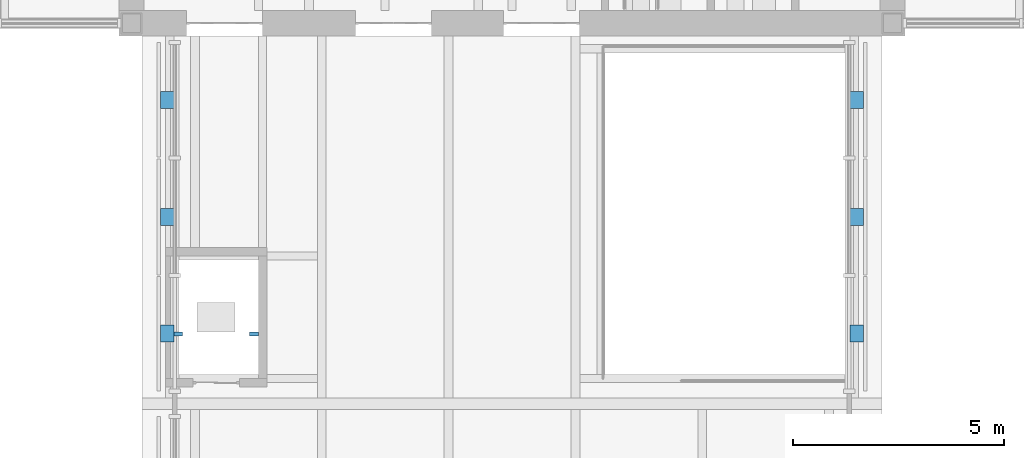
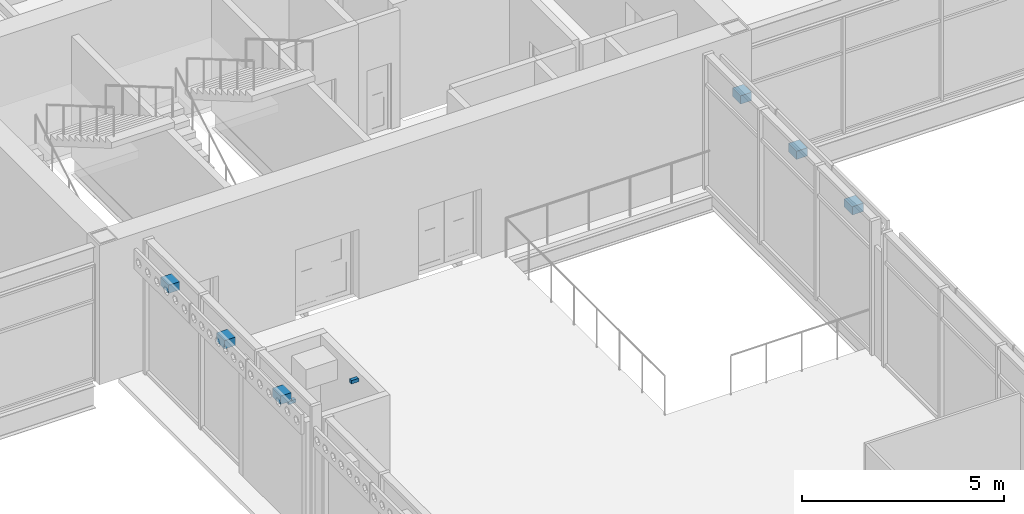
# One storey, part 92 of 123: 8 discrete accessories.
"""IFC4 building model written with IfcOpenShell, lengths in metres."""

from ifc_helpers import new_model, si_unit, direction, frame, origin, origin_2d, place, context, subcontext, project, spatial, rectangle, extrude, material, type_object, element, save


model = new_model("IFC4")

# Units and contexts
model_context = context("Model", 3, precision=1e-05, world=origin(), true_north=direction((0.0, 1.0)))
body_context = subcontext(model_context, "Body", "Model", "MODEL_VIEW")
ifc_project = project(units=[si_unit("LENGTHUNIT", "METRE"), si_unit("AREAUNIT", "SQUARE_METRE"), si_unit("VOLUMEUNIT", "CUBIC_METRE"), si_unit("PLANEANGLEUNIT", "RADIAN"), si_unit("MASSUNIT", "GRAM", prefix="KILO")], contexts=[model_context])

# Site, building, storey
site_placement = place(None, origin())
site = spatial("IfcSite", under=ifc_project, at=site_placement, CompositionType="ELEMENT")
building_placement = place(site_placement, origin())
building = spatial("IfcBuilding", under=site, at=building_placement, Name="Baradari Gate Terminus", CompositionType="ELEMENT")
storey_placement = place(building_placement, frame((0.0, 0.0, 7.5)))
storey = spatial("IfcBuildingStorey", under=building, at=storey_placement, Name="L01", CompositionType="ELEMENT", Elevation=7.5)

# Discrete accessories
ifc_material_1 = material(Name="Stainless steel 316", Category="steel")
discrete_accessory_type_1 = type_object("IfcDiscreteAccessoryType", Name="Jali screen bracket BK-2 stainless steel", PredefinedType="BRACKET", material=ifc_material_1)
for number, where, z_axis, x_axis, name in (
    (1, (72.84619140625, 73.666748046875, 3.449951171875), (0.0, 0.0, 1.0), (-1.0, 0.0, 0.0), "Jali screen bracket BK-2 L01/GW5 bay 1"),
    (2, (72.84619140625, 76.425048828125, 3.449951171875), (0.0, 0.0, 1.0), (-1.0, 0.0, 0.0), "Jali screen bracket BK-2 L01/GW5 bay 2"),
    (3, (72.84619140625, 79.183349609375, 3.449951171875), (0.0, 0.0, 1.0), (-1.0, 0.0, 0.0), "Jali screen bracket BK-2 L01/GW5 bay 3"),
    (4, (89.15380859375, 73.666748046875, 3.449951171875), (0.0, 0.0, 1.0), (1.0, 0.0, 0.0), "Jali screen bracket BK-2 L01/GE5 bay 1"),
    (5, (89.15380859375, 76.425048828125, 3.449951171875), (0.0, 0.0, 1.0), (1.0, 0.0, 0.0), "Jali screen bracket BK-2 L01/GE5 bay 2"),
    (6, (89.15380859375, 79.183349609375, 3.449951171875), (0.0, 0.0, 1.0), (1.0, 0.0, 0.0), "Jali screen bracket BK-2 L01/GE5 bay 3"),
):
    element("IfcDiscreteAccessory", number, at=place(storey_placement, frame(where, z_axis=z_axis, x_axis=x_axis)), inside=storey, type_object=discrete_accessory_type_1, Name=name, PredefinedType="BRACKET", context=body_context, shape_type="SweptSolid", body=[
        extrude(rectangle(XDim=0.3173828125, YDim=0.39990234375, at=origin_2d()), origin(), (0.0, 0.0, 1.0), 0.25),
    ])
ifc_material_2 = material(Name="Steel S355", Category="steel")
discrete_accessory_type_2 = type_object("IfcDiscreteAccessoryType", Name="Lift rail bracket RB-L1 100x100", PredefinedType="BRACKET", material=ifc_material_2)
for number, where, z_axis, x_axis, name in (
    (7, (73.10498046875, 73.64990234375, 3.25), (0.0, 0.0, 1.0), (1.0, 0.0, 0.0), "Lift rail bracket LP2 1B"),
    (8, (74.89501953125, 73.64990234375, 3.25), (0.0, 0.0, 1.0), (1.0, 0.0, 0.0), "Lift rail bracket LP2 2B"),
):
    element("IfcDiscreteAccessory", number, at=place(storey_placement, frame(where, z_axis=z_axis, x_axis=x_axis)), inside=storey, type_object=discrete_accessory_type_2, Name=name, PredefinedType="BRACKET", context=body_context, shape_type="SweptSolid", body=[
        extrude(rectangle(XDim=0.2099609375, YDim=0.10009765625, at=origin_2d()), origin(), (0.0, 0.0, 1.0), 0.10009765625),
    ])

save(model, "model.ifc")
